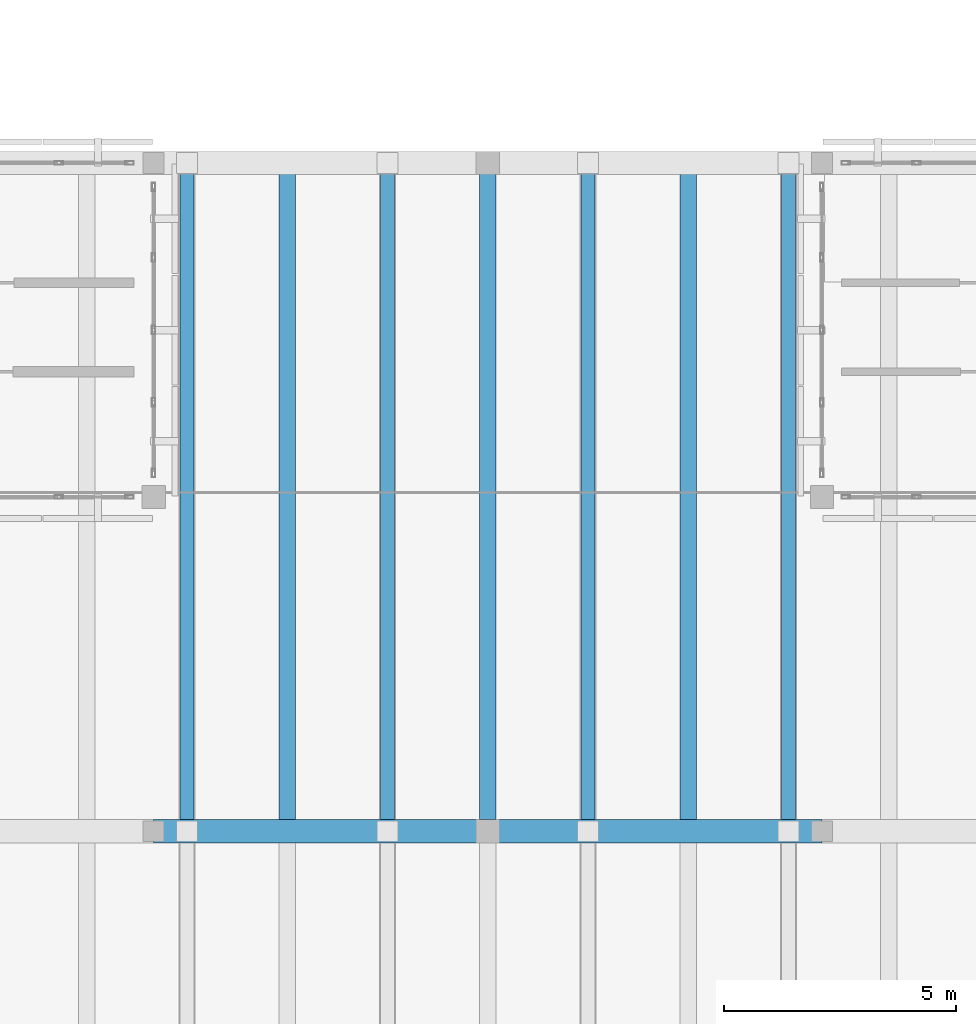
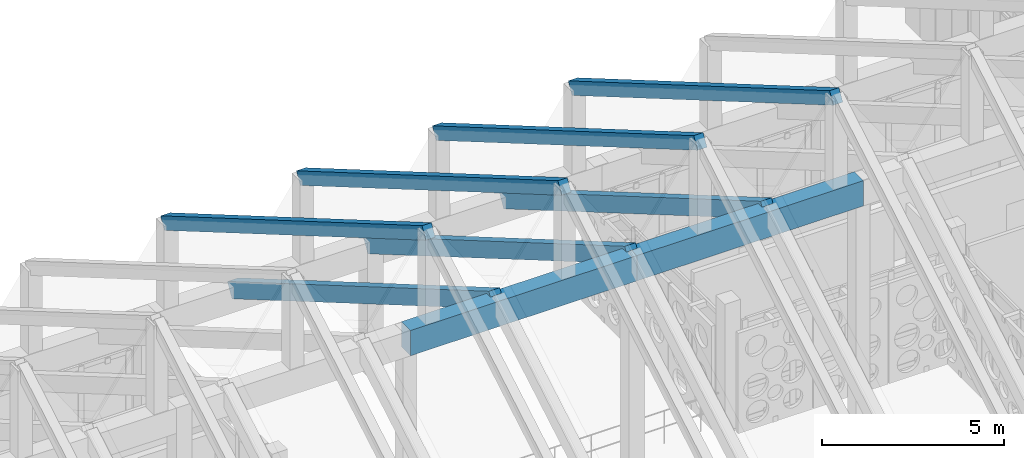
# One storey, part 32 of 171: 9 beams.
"""IFC4 building model written with IfcOpenShell, lengths in metres."""

from ifc_helpers import new_model, si_unit, direction, frame, origin, origin_2d, place, context, subcontext, project, spatial, rectangle, extrude, material, material_profile, profile_set, type_object, element, save


model = new_model("IFC4")

# Units and contexts
model_context = context("Model", 3, precision=1e-05, world=origin(), true_north=direction((0.0, 1.0)))
body_context = subcontext(model_context, "Body", "Model", "MODEL_VIEW")
ifc_project = project(units=[si_unit("LENGTHUNIT", "METRE"), si_unit("AREAUNIT", "SQUARE_METRE"), si_unit("VOLUMEUNIT", "CUBIC_METRE"), si_unit("PLANEANGLEUNIT", "RADIAN"), si_unit("MASSUNIT", "GRAM", prefix="KILO")], contexts=[model_context])

# Site, building, storey
site_placement = place(None, origin())
site = spatial("IfcSite", under=ifc_project, at=site_placement, CompositionType="ELEMENT")
building_placement = place(site_placement, origin())
building = spatial("IfcBuilding", under=site, at=building_placement, Name="Aldebral Square Health Centre", CompositionType="ELEMENT")
storey_placement = place(building_placement, frame((0.0, 0.0, 4.5)))
storey = spatial("IfcBuildingStorey", under=building, at=storey_placement, Name="L01", CompositionType="ELEMENT", Elevation=4.5)

# Beams
ifc_material = material(Name="Concrete C40/50", Category="concrete")
ifc_material_profile_1 = material_profile(ifc_material, rectangle(XDim=0.300048828125, YDim=0.419921875, at=origin_2d()), Name="RC 300x420")
ifc_profile_set_1 = profile_set([ifc_material_profile_1], Name="Concrete C40/50")
beam_type_1 = type_object("IfcBeamType", Name="BM-FP2", PredefinedType="BEAM", material=ifc_profile_set_1)
for number, where, z_axis, x_axis, name in (
    (1, (79.919921875, 86.39990234375, 15.64990234375), (0.0, 0.863783681228, -0.503862830584), (-1.0, 0.0, 0.0), "Folded-plate north ridge rib 4"),
    (2, (84.239990234375, 86.39990234375, 15.64990234375), (0.0, 0.863783681228, -0.503862830584), (-1.0, 0.0, 0.0), "Folded-plate north ridge rib 5"),
    (3, (88.56005859375, 86.39990234375, 15.64990234375), (0.0, 0.863783681228, -0.503862830584), (-1.0, 0.0, 0.0), "Folded-plate north ridge rib 6"),
    (4, (92.8798828125, 86.39990234375, 15.64990234375), (0.0, 0.863783681228, -0.503862830584), (-1.0, 0.0, 0.0), "Folded-plate north ridge rib 7"),
):
    element("IfcBeam", number, at=place(storey_placement, frame(where, z_axis=z_axis, x_axis=x_axis)), inside=storey, type_object=beam_type_1, Name=name, PredefinedType="BEAM", context=body_context, shape_type="SweptSolid", body=[
        extrude(rectangle(XDim=0.300048828125, YDim=0.419921875, at=origin_2d()), origin(), (0.0, 0.0, 1.0), 16.6708984375),
    ])
ifc_material_profile_2 = material_profile(ifc_material, rectangle(XDim=0.5, YDim=0.85009765625, at=origin_2d()), Name="RC 500x850")
ifc_profile_set_2 = profile_set([ifc_material_profile_2], Name="Concrete C40/50")
beam_type_2 = type_object("IfcBeamType", Name="BM-G1", PredefinedType="T_BEAM", material=ifc_profile_set_2)
beam_1_placement = place(storey_placement, frame((79.199951171875, 86.39990234375, 12.294921875), z_axis=(1.0, 0.0, 0.0), x_axis=(0.0, 1.0, 0.0)))
element("IfcBeam", 5, at=beam_1_placement, inside=storey, type_object=beam_type_2, Name="Waiting Hall diaphragm girder SPINE-M 12", PredefinedType="T_BEAM", context=body_context, shape_type="SweptSolid", body=[
    extrude(rectangle(XDim=0.5, YDim=0.85009765625, at=origin_2d()), origin(), (0.0, 0.0, 1.0), 7.199951171875),
])
beam_2_placement = place(storey_placement, frame((86.39990234375, 86.39990234375, 12.294921875), z_axis=(1.0, 0.0, 0.0), x_axis=(0.0, 1.0, 0.0)))
element("IfcBeam", 6, at=beam_2_placement, inside=storey, type_object=beam_type_2, Name="Waiting Hall diaphragm girder SPINE-M 13", PredefinedType="T_BEAM", context=body_context, shape_type="SweptSolid", body=[
    extrude(rectangle(XDim=0.5, YDim=0.85009765625, at=origin_2d()), origin(), (0.0, 0.0, 1.0), 7.2001953125),
])
ifc_material_profile_3 = material_profile(ifc_material, rectangle(XDim=0.35009765625, YDim=0.5, at=origin_2d()), Name="RC 350x500")
ifc_profile_set_3 = profile_set([ifc_material_profile_3], Name="Concrete C40/50")
beam_type_3 = type_object("IfcBeamType", Name="BM-SP1", PredefinedType="SPANDREL", material=ifc_profile_set_3)
for number, where, z_axis, x_axis, name in (
    (7, (82.080078125, 86.39990234375, 12.64990234375), (0.0, 0.863783681228, -0.503862830584), (-1.0, 0.0, 0.0), "Folded-plate north valley beam 5"),
    (8, (86.39990234375, 86.39990234375, 12.64990234375), (0.0, 0.863783681228, -0.503862830584), (-1.0, 0.0, 0.0), "Folded-plate north valley beam 6"),
    (9, (90.719970703125, 86.39990234375, 12.64990234375), (0.0, 0.863783681228, -0.503862830584), (-1.0, 0.0, 0.0), "Folded-plate north valley beam 7"),
):
    element("IfcBeam", number, at=place(storey_placement, frame(where, z_axis=z_axis, x_axis=x_axis)), inside=storey, type_object=beam_type_3, Name=name, PredefinedType="SPANDREL", context=body_context, shape_type="SweptSolid", body=[
        extrude(rectangle(XDim=0.35009765625, YDim=0.5, at=origin_2d()), origin(), (0.0, 0.0, 1.0), 16.6708984375),
    ])

save(model, "model.ifc")
